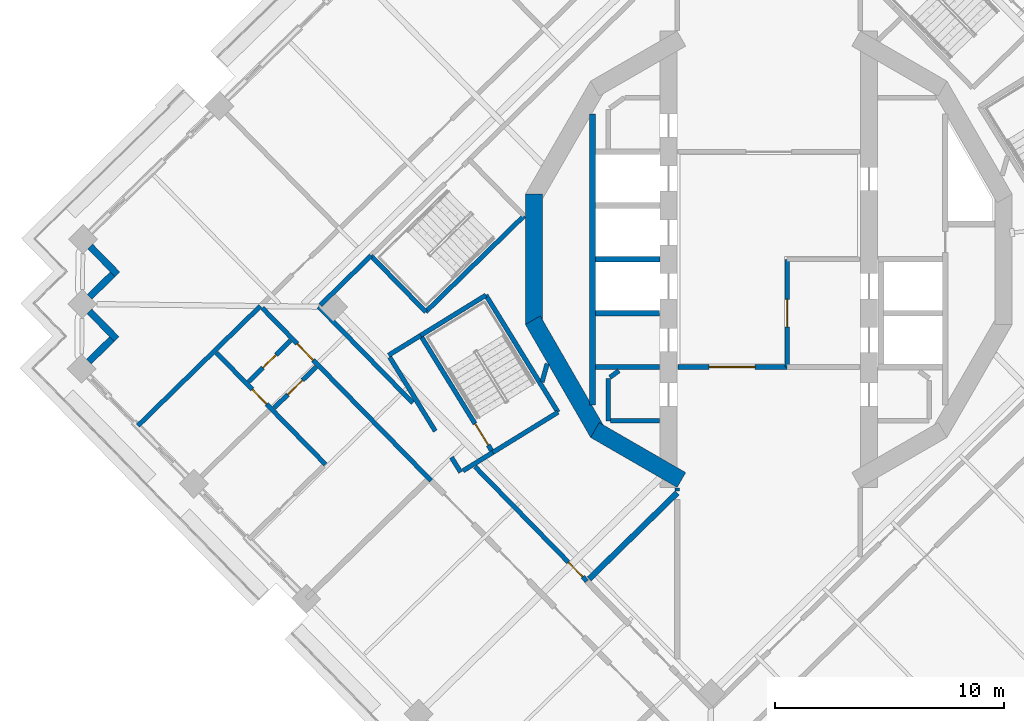
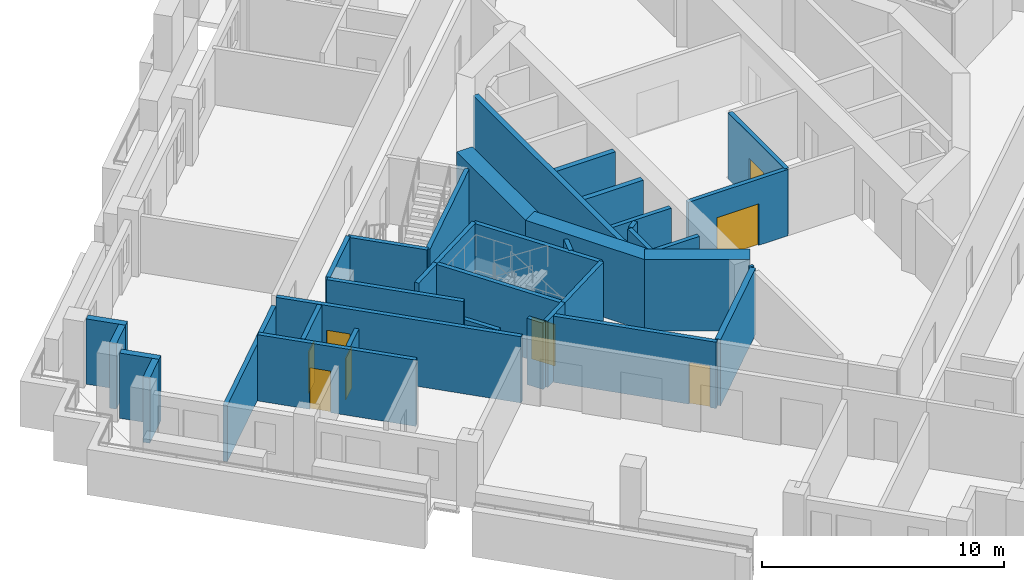
# One storey, part 5 of 17: 37 walls, 8 doors, 8 openings.
"""IFC4 building model written with IfcOpenShell, lengths in metres."""

from ifc_helpers import new_model, si_unit, direction, frame, frame_2d, origin, place, context, subcontext, project, spatial, rectangle, extrude, material, layer, layer_set, type_object, element, fill, save


model = new_model("IFC4")

# Units and contexts
model_context = context("Model", 3, precision=1e-05, world=origin(), true_north=direction((0.0, 1.0)))
body_context = subcontext(model_context, "Body", "Model", "MODEL_VIEW")
ifc_project = project(units=[si_unit("LENGTHUNIT", "METRE"), si_unit("AREAUNIT", "SQUARE_METRE"), si_unit("VOLUMEUNIT", "CUBIC_METRE"), si_unit("PLANEANGLEUNIT", "RADIAN"), si_unit("MASSUNIT", "GRAM", prefix="KILO")], contexts=[model_context])

# Site, building, storey
site_placement = place(None, origin())
site = spatial("IfcSite", under=ifc_project, at=site_placement, CompositionType="ELEMENT")
building_placement = place(site_placement, origin())
building = spatial("IfcBuilding", under=site, at=building_placement, Name="Cantera Rosa Tower", CompositionType="ELEMENT")
storey_placement = place(building_placement, frame((0.0, 0.0, 237.800048828125)))
storey = spatial("IfcBuildingStorey", under=building, at=storey_placement, Name="L52", CompositionType="ELEMENT", Elevation=237.800048828125)

# Wall
ifc_material_1 = material(Name="Gypsum board partition")
ifc_layer_1 = layer(ifc_material_1, 0.199951171875)
ifc_layer_set_1 = layer_set([ifc_layer_1], Name="CORRIDOR WALL 200 H2300")
wall_type_1 = type_object("IfcWallType", Name="CORRIDOR WALL 200 H2300", PredefinedType="PARTITIONING", material=ifc_layer_set_1)
wall_1_placement = place(storey_placement, frame((-16.548095703125, -4.274658203125, 0.0), z_axis=(0.0, 0.0, 1.0), x_axis=(0.524970357961, -0.851120510423, 0.0)))
element("IfcWall", 1, at=wall_1_placement, inside=storey, type_object=wall_type_1, Name="CORRIDOR WALL L52-013", PredefinedType="PARTITIONING", context=body_context, shape_type="SweptSolid", body=[
    extrude(rectangle(XDim=3.790771484375, YDim=0.199951171875, at=frame_2d((1.8955078125, 0.0))), origin(), (0.0, 0.0, 1.0), 2.300048828125),
])

# Wall, opening, door
ifc_material_2 = material(Name="Gypsum board partition")
ifc_layer_2 = layer(ifc_material_2, 0.199951171875)
ifc_layer_set_2 = layer_set([ifc_layer_2], Name="CORRIDOR WALL 200 H3350")
wall_type_2 = type_object("IfcWallType", Name="CORRIDOR WALL 200 H3350", PredefinedType="PARTITIONING", material=ifc_layer_set_2)
wall_2_placement = place(storey_placement, frame((-22.109130859375, -2.125732421875, 0.0), z_axis=(0.0, 0.0, 1.0), x_axis=(0.698828244321, -0.715289511274, 0.0)))
wall_2 = element("IfcWall", 2, at=wall_2_placement, inside=storey, type_object=wall_type_2, Name="CORRIDOR WALL L52-003", PredefinedType="PARTITIONING", context=body_context, shape_type="SweptSolid", body=[
    extrude(rectangle(XDim=10.544921875, YDim=0.199951171875, at=frame_2d((5.2724609375, 0.0))), origin(), (0.0, 0.0, 1.0), 3.349853515625),
])
opening_1_placement = place(wall_2_placement, frame((2.179931640625, 0.0, 0.0)))
opening_1 = element("IfcOpeningElement", 3, at=opening_1_placement, cuts=wall_2, Name="Opening L52-041", PredefinedType="OPENING", context=body_context, shape_type="SweptSolid", body=[
    extrude(rectangle(XDim=1.0, YDim=2.10009765625, at=frame_2d((0.5, 1.050048828125))), frame((0.0, 0.10986328125, 0.0), z_axis=(0.0, -1.0, 0.0), x_axis=(1.0, 0.0, 0.0)), (0.0, 0.0, 1.0), 0.219970703125),
])
ifc_material_3 = material(Name="Timber door leaf", Category="wood")
door_type_1 = type_object("IfcDoorType", Name="ENTRANCE DOOR 1000x2100", OperationType="NOTDEFINED", PredefinedType="DOOR", material=ifc_material_3)
door_1_placement = place(opening_1_placement, origin())
door_1 = element("IfcDoor", 4, at=door_1_placement, inside=storey, type_object=door_type_1, Name="DOOR L52-041", OperationType="NOTDEFINED", OverallHeight=2.10009765625, OverallWidth=1.0, PredefinedType="DOOR", context=body_context, shape_type="SweptSolid", body=[
    extrude(rectangle(XDim=1.0, YDim=2.10009765625, at=frame_2d((0.5, 1.050048828125))), frame((0.0, 0.02490234375, 0.0), z_axis=(0.0, -1.0, 0.0), x_axis=(1.0, 0.0, 0.0)), (0.0, 0.0, 1.0), 0.050048828125),
])
fill(opening_1, door_1)

# Walls
wall_3_placement = place(storey_placement, frame((-19.647705078125, -2.069580078125, 0.0), z_axis=(0.0, 0.0, 1.0), x_axis=(0.698845926006, -0.715272236079, 0.0)))
element("IfcWall", 5, at=wall_3_placement, inside=storey, type_object=wall_type_2, Name="CORRIDOR WALL L52-008", PredefinedType="PARTITIONING", context=body_context, shape_type="SweptSolid", body=[
    extrude(rectangle(XDim=5.870849609375, YDim=0.199951171875, at=frame_2d((2.935546875, 0.0))), origin(), (0.0, 0.0, 1.0), 3.349853515625),
])
wall_4_placement = place(storey_placement, frame((-17.36962890625, 0.156005859375, 0.0), z_axis=(0.0, 0.0, 1.0), x_axis=(-0.715289693103, -0.69882805821, 0.0)))
element("IfcWall", 6, at=wall_4_placement, inside=storey, type_object=wall_type_2, Name="CORRIDOR WALL L52-011", PredefinedType="PARTITIONING", context=body_context, shape_type="SweptSolid", body=[
    extrude(rectangle(XDim=3.084716796875, YDim=0.199951171875, at=frame_2d((1.54248046875, 0.0))), origin(), (0.0, 0.0, 1.0), 3.349853515625),
])
wall_5_placement = place(storey_placement, frame((-16.6005859375, -4.189697265625, 0.0), z_axis=(0.0, 0.0, 1.0), x_axis=(0.8510360128, 0.525107327047, 0.0)))
element("IfcWall", 7, at=wall_5_placement, inside=storey, type_object=wall_type_2, Name="CORRIDOR WALL L52-012", PredefinedType="PARTITIONING", context=body_context, shape_type="SweptSolid", body=[
    extrude(rectangle(XDim=1.64501953125, YDim=0.199951171875, at=frame_2d((0.822509765625, 0.0))), origin(), (0.0, 0.0, 1.0), 3.349853515625),
])
wall_6_placement = place(storey_placement, frame((-13.8525390625, -8.64501953125, 0.0), z_axis=(0.0, 0.0, 1.0), x_axis=(0.52482706305, -0.851208877944, 0.0)))
element("IfcWall", 8, at=wall_6_placement, inside=storey, type_object=wall_type_2, Name="CORRIDOR WALL L52-014", PredefinedType="PARTITIONING", context=body_context, shape_type="SweptSolid", body=[
    extrude(rectangle(XDim=0.76513671875, YDim=0.199951171875, at=frame_2d((0.382568359375, 0.0))), origin(), (0.0, 0.0, 1.0), 3.349853515625),
])
wall_7_placement = place(storey_placement, frame((-13.3486328125, -9.2333984375, 0.0), z_axis=(0.0, 0.0, 1.0), x_axis=(0.851042101438, 0.525097459126, 0.0)))
element("IfcWall", 9, at=wall_7_placement, inside=storey, type_object=wall_type_2, Name="CORRIDOR WALL L52-018", PredefinedType="PARTITIONING", context=body_context, shape_type="SweptSolid", body=[
    extrude(rectangle(XDim=1.52490234375, YDim=0.199951171875, at=frame_2d((0.762451171875, 0.0))), origin(), (0.0, 0.0, 1.0), 3.349853515625),
])

# Wall, opening, door
wall_8_placement = place(storey_placement, frame((-12.828125, -9.0498046875, 0.0), z_axis=(0.0, 0.0, 1.0), x_axis=(0.698835518471, -0.715282404455, 0.0)))
wall_8 = element("IfcWall", 10, at=wall_8_placement, inside=storey, type_object=wall_type_2, Name="CORRIDOR WALL L52-020", PredefinedType="PARTITIONING", context=body_context, shape_type="SweptSolid", body=[
    extrude(rectangle(XDim=6.99169921875, YDim=0.199951171875, at=frame_2d((3.495849609375, 0.0))), origin(), (0.0, 0.0, 1.0), 3.349853515625),
])
opening_2_placement = place(wall_8_placement, frame((5.830322265625, 0.0, 0.0)))
opening_2 = element("IfcOpeningElement", 11, at=opening_2_placement, cuts=wall_8, Name="Opening L52-009", PredefinedType="OPENING", context=body_context, shape_type="SweptSolid", body=[
    extrude(rectangle(XDim=0.89990234375, YDim=2.10009765625, at=frame_2d((0.449951171875, 1.050048828125))), frame((0.0, 0.10986328125, 0.0), z_axis=(0.0, -1.0, 0.0), x_axis=(1.0, 0.0, 0.0)), (0.0, 0.0, 1.0), 0.219970703125),
])
ifc_material_4 = material(Name="Timber door leaf", Category="wood")
door_type_2 = type_object("IfcDoorType", Name="SERVICE DOOR 900x2100", OperationType="NOTDEFINED", PredefinedType="DOOR", material=ifc_material_4)
door_2_placement = place(opening_2_placement, origin())
door_2 = element("IfcDoor", 12, at=door_2_placement, inside=storey, type_object=door_type_2, Name="DOOR L52-009", OperationType="NOTDEFINED", OverallHeight=2.10009765625, OverallWidth=0.89990234375, PredefinedType="DOOR", context=body_context, shape_type="SweptSolid", body=[
    extrude(rectangle(XDim=0.89990234375, YDim=2.10009765625, at=frame_2d((0.449951171875, 1.050048828125))), frame((0.0, 0.02490234375, 0.0), z_axis=(0.0, -1.0, 0.0), x_axis=(1.0, 0.0, 0.0)), (0.0, 0.0, 1.0), 0.050048828125),
])
fill(opening_2, door_2)

# Wall
wall_9_placement = place(storey_placement, frame((-4.0, -9.994140625, 0.0), z_axis=(0.0, 0.0, 1.0), x_axis=(0.0, -1.0, 0.0)))
element("IfcWall", 13, at=wall_9_placement, inside=storey, type_object=wall_type_2, Name="CORRIDOR WALL L52-052", PredefinedType="PARTITIONING", context=body_context, shape_type="SweptSolid", body=[
    extrude(rectangle(XDim=0.125, YDim=0.199951171875, at=frame_2d((0.0625, 0.0))), origin(), (0.0, 0.0, 1.0), 3.349853515625),
])

# Wall, opening, door
wall_10_placement = place(storey_placement, frame((0.800048828125, -4.699951171875, 0.0), z_axis=(0.0, 0.0, 1.0), x_axis=(-1.0, 0.0, 0.0)))
wall_10 = element("IfcWall", 14, at=wall_10_placement, inside=storey, type_object=wall_type_2, Name="CORRIDOR WALL L52-060", PredefinedType="PARTITIONING", context=body_context, shape_type="SweptSolid", body=[
    extrude(rectangle(XDim=4.77001953125, YDim=0.199951171875, at=frame_2d((2.385009765625, 0.0))), origin(), (0.0, 0.0, 1.0), 3.349853515625),
])
opening_3_placement = place(wall_10_placement, frame((1.39990234375, 0.0, 0.0)))
opening_3 = element("IfcOpeningElement", 15, at=opening_3_placement, cuts=wall_10, Name="Opening L52-015", PredefinedType="OPENING", context=body_context, shape_type="SweptSolid", body=[
    extrude(rectangle(XDim=2.0, YDim=2.10009765625, at=frame_2d((1.0, 1.050048828125))), frame((0.0, 0.10986328125, 0.0), z_axis=(0.0, -1.0, 0.0), x_axis=(1.0, 0.0, 0.0)), (0.0, 0.0, 1.0), 0.219970703125),
])
ifc_material_5 = material(Name="Steel S355J2 (EN 10025-2)", Category="steel")
door_type_3 = type_object("IfcDoorType", Name="LOBBY SCREEN DOOR 2000x2100", OperationType="NOTDEFINED", PredefinedType="DOOR", material=ifc_material_5)
door_3_placement = place(opening_3_placement, origin())
door_3 = element("IfcDoor", 16, at=door_3_placement, inside=storey, type_object=door_type_3, Name="DOOR L52-015", OperationType="NOTDEFINED", OverallHeight=2.10009765625, OverallWidth=2.0, PredefinedType="DOOR", context=body_context, shape_type="SweptSolid", body=[
    extrude(rectangle(XDim=2.0, YDim=2.10009765625, at=frame_2d((1.0, 1.050048828125))), frame((0.0, 0.02490234375, 0.0), z_axis=(0.0, -1.0, 0.0), x_axis=(1.0, 0.0, 0.0)), (0.0, 0.0, 1.0), 0.050048828125),
])
fill(opening_3, door_3)

# Walls
ifc_material_6 = material(Name="Hollow clay masonry with cantera stone cladding", Category="masonry")
ifc_layer_3 = layer(ifc_material_6, 0.300048828125)
ifc_layer_set_3 = layer_set([ifc_layer_3], Name="EW-LOGGIA 300")
wall_type_3 = type_object("IfcWallType", Name="EW-LOGGIA 300", PredefinedType="SOLIDWALL", material=ifc_layer_set_3)
wall_11_placement = place(storey_placement, frame((-29.623291015625, 0.556884765625, 0.0), z_axis=(0.0, 0.0, 1.0), x_axis=(0.69880105094, -0.715316077832, 0.0)))
element("IfcWall", 17, at=wall_11_placement, inside=storey, type_object=wall_type_3, Name="EN-L52-W12a", PredefinedType="SOLIDWALL", context=body_context, shape_type="SweptSolid", body=[
    extrude(rectangle(XDim=1.699951171875, YDim=0.300048828125, at=frame_2d((0.85009765625, 0.0))), origin(), (0.0, 0.0, 1.0), 3.300048828125),
])
wall_12_placement = place(storey_placement, frame((-28.6474609375, -0.65673828125, 0.0), z_axis=(0.0, 0.0, 1.0), x_axis=(-0.715341715727, -0.698774806172, 0.0)))
element("IfcWall", 18, at=wall_12_placement, inside=storey, type_object=wall_type_3, Name="EN-L52-W12b", PredefinedType="SOLIDWALL", context=body_context, shape_type="SweptSolid", body=[
    extrude(rectangle(XDim=1.39990234375, YDim=0.300048828125, at=frame_2d((0.699951171875, 0.0))), origin(), (0.0, 0.0, 1.0), 3.300048828125),
])
wall_13_placement = place(storey_placement, frame((-29.65625, -2.271484375, 0.0), z_axis=(0.0, 0.0, 1.0), x_axis=(0.698872839675, -0.715245939495, 0.0)))
element("IfcWall", 19, at=wall_13_placement, inside=storey, type_object=wall_type_3, Name="EN-L52-W13a", PredefinedType="SOLIDWALL", context=body_context, shape_type="SweptSolid", body=[
    extrude(rectangle(XDim=1.699951171875, YDim=0.300048828125, at=frame_2d((0.85009765625, 0.0))), origin(), (0.0, 0.0, 1.0), 3.300048828125),
])
wall_14_placement = place(storey_placement, frame((-28.680419921875, -3.48486328125, 0.0), z_axis=(0.0, 0.0, 1.0), x_axis=(-0.71516937164, -0.698951192766, 0.0)))
element("IfcWall", 20, at=wall_14_placement, inside=storey, type_object=wall_type_3, Name="EN-L52-W13b", PredefinedType="SOLIDWALL", context=body_context, shape_type="SweptSolid", body=[
    extrude(rectangle(XDim=1.39990234375, YDim=0.300048828125, at=frame_2d((0.699951171875, 0.0))), origin(), (0.0, 0.0, 1.0), 3.300048828125),
])

# Wall, opening, door
ifc_material_7 = material(Name="Gypsum board partition")
ifc_layer_4 = layer(ifc_material_7, 0.199951171875)
ifc_layer_set_4 = layer_set([ifc_layer_4], Name="PARTITION 200 H2450")
wall_type_4 = type_object("IfcWallType", Name="PARTITION 200 H2450", PredefinedType="PARTITIONING", material=ifc_layer_set_4)
wall_15_placement = place(storey_placement, frame((-19.76318359375, -4.698974609375, 0.0), z_axis=(0.0, 0.0, 1.0), x_axis=(-0.715308545243, -0.698808761466, 0.0)))
wall_15 = element("IfcWall", 21, at=wall_15_placement, inside=storey, type_object=wall_type_4, Name="PARTITION L52-007", PredefinedType="PARTITIONING", context=body_context, shape_type="SweptSolid", body=[
    extrude(rectangle(XDim=2.559814453125, YDim=0.199951171875, at=frame_2d((1.27978515625, 0.0))), origin(), (0.0, 0.0, 1.0), 2.449951171875),
])
opening_4_placement = place(wall_15_placement, frame((0.830078125, 0.0, 0.0)))
opening_4 = element("IfcOpeningElement", 22, at=opening_4_placement, cuts=wall_15, Name="Opening L52-043", PredefinedType="OPENING", context=body_context, shape_type="SweptSolid", body=[
    extrude(rectangle(XDim=0.89990234375, YDim=2.10009765625, at=frame_2d((0.449951171875, 1.050048828125))), frame((0.0, 0.10986328125, 0.0), z_axis=(0.0, -1.0, 0.0), x_axis=(1.0, 0.0, 0.0)), (0.0, 0.0, 1.0), 0.219970703125),
])
ifc_material_8 = material(Name="Timber door leaf", Category="wood")
door_type_4 = type_object("IfcDoorType", Name="ROOM DOOR 900x2100", OperationType="NOTDEFINED", PredefinedType="DOOR", material=ifc_material_8)
door_4_placement = place(opening_4_placement, origin())
door_4 = element("IfcDoor", 23, at=door_4_placement, inside=storey, type_object=door_type_4, Name="DOOR L52-043", OperationType="NOTDEFINED", OverallHeight=2.10009765625, OverallWidth=0.89990234375, PredefinedType="DOOR", context=body_context, shape_type="SweptSolid", body=[
    extrude(rectangle(XDim=0.89990234375, YDim=2.10009765625, at=frame_2d((0.449951171875, 1.050048828125))), frame((0.0, 0.02490234375, 0.0), z_axis=(0.0, -1.0, 0.0), x_axis=(1.0, 0.0, 0.0)), (0.0, 0.0, 1.0), 0.050048828125),
])
fill(opening_4, door_4)

ifc_material_9 = material(Name="Gypsum board partition")
ifc_layer_5 = layer(ifc_material_9, 0.199951171875)
ifc_layer_set_5 = layer_set([ifc_layer_5], Name="PARTITION 200 H3350")
wall_type_5 = type_object("IfcWallType", Name="PARTITION 200 H3350", PredefinedType="PARTITIONING", material=ifc_layer_set_5)
wall_16_placement = place(storey_placement, frame((-24.112060546875, -4.08251953125, 0.0), z_axis=(0.0, 0.0, 1.0), x_axis=(0.698837366631, -0.715280598787, 0.0)))
wall_16 = element("IfcWall", 24, at=wall_16_placement, inside=storey, type_object=wall_type_5, Name="PARTITION L52-001", PredefinedType="PARTITIONING", context=body_context, shape_type="SweptSolid", body=[
    extrude(rectangle(XDim=6.800048828125, YDim=0.199951171875, at=frame_2d((3.39990234375, 0.0))), origin(), (0.0, 0.0, 1.0), 3.349853515625),
])
opening_5_placement = place(wall_16_placement, frame((2.22998046875, 0.0, 0.0)))
opening_5 = element("IfcOpeningElement", 25, at=opening_5_placement, cuts=wall_16, Name="Opening L52-044", PredefinedType="OPENING", context=body_context, shape_type="SweptSolid", body=[
    extrude(rectangle(XDim=0.89990234375, YDim=2.10009765625, at=frame_2d((0.449951171875, 1.050048828125))), frame((0.0, 0.10986328125, 0.0), z_axis=(0.0, -1.0, 0.0), x_axis=(1.0, 0.0, 0.0)), (0.0, 0.0, 1.0), 0.219970703125),
])
door_5_placement = place(opening_5_placement, origin())
door_5 = element("IfcDoor", 26, at=door_5_placement, inside=storey, type_object=door_type_4, Name="DOOR L52-044", OperationType="NOTDEFINED", OverallHeight=2.10009765625, OverallWidth=0.89990234375, PredefinedType="DOOR", context=body_context, shape_type="SweptSolid", body=[
    extrude(rectangle(XDim=0.89990234375, YDim=2.10009765625, at=frame_2d((0.449951171875, 1.050048828125))), frame((0.0, 0.02490234375, 0.0), z_axis=(0.0, -1.0, 0.0), x_axis=(1.0, 0.0, 0.0)), (0.0, 0.0, 1.0), 0.050048828125),
])
fill(opening_5, door_5)

wall_17_placement = place(storey_placement, frame((-20.881103515625, -3.554443359375, 0.0), z_axis=(0.0, 0.0, 1.0), x_axis=(-0.715307445705, -0.698809886965, 0.0)))
wall_17 = element("IfcWall", 27, at=wall_17_placement, inside=storey, type_object=wall_type_5, Name="PARTITION L52-006", PredefinedType="PARTITIONING", context=body_context, shape_type="SweptSolid", body=[
    extrude(rectangle(XDim=2.56005859375, YDim=0.199951171875, at=frame_2d((1.280029296875, 0.0))), origin(), (0.0, 0.0, 1.0), 3.349853515625),
])
opening_6_placement = place(wall_17_placement, frame((0.8798828125, 0.0, 0.0)))
opening_6 = element("IfcOpeningElement", 28, at=opening_6_placement, cuts=wall_17, Name="Opening L52-042", PredefinedType="OPENING", context=body_context, shape_type="SweptSolid", body=[
    extrude(rectangle(XDim=0.800048828125, YDim=2.10009765625, at=frame_2d((0.39990234375, 1.050048828125))), frame((0.0, 0.10986328125, 0.0), z_axis=(0.0, -1.0, 0.0), x_axis=(1.0, 0.0, 0.0)), (0.0, 0.0, 1.0), 0.219970703125),
])
ifc_material_10 = material(Name="Timber door leaf", Category="wood")
door_type_5 = type_object("IfcDoorType", Name="BATHROOM DOOR 800x2100", OperationType="NOTDEFINED", PredefinedType="DOOR", material=ifc_material_10)
door_6_placement = place(opening_6_placement, origin())
door_6 = element("IfcDoor", 29, at=door_6_placement, inside=storey, type_object=door_type_5, Name="DOOR L52-042", OperationType="NOTDEFINED", OverallHeight=2.10009765625, OverallWidth=0.800048828125, PredefinedType="DOOR", context=body_context, shape_type="SweptSolid", body=[
    extrude(rectangle(XDim=0.800048828125, YDim=2.10009765625, at=frame_2d((0.39990234375, 1.050048828125))), frame((0.0, 0.02490234375, 0.0), z_axis=(0.0, -1.0, 0.0), x_axis=(1.0, 0.0, 0.0)), (0.0, 0.0, 1.0), 0.050048828125),
])
fill(opening_6, door_6)

# Walls
wall_18_placement = place(storey_placement, frame((-9.898681640625, -5.354248046875, 0.0), z_axis=(0.0, 0.0, 1.0), x_axis=(0.272775267496, 0.96207777931, 0.0)))
element("IfcWall", 30, at=wall_18_placement, inside=storey, type_object=wall_type_5, Name="PARTITION L52-030", PredefinedType="PARTITIONING", context=body_context, shape_type="SweptSolid", body=[
    extrude(rectangle(XDim=0.828857421875, YDim=0.199951171875, at=frame_2d((0.41455078125, 0.0))), origin(), (0.0, 0.0, 1.0), 3.349853515625),
])
wall_19_placement = place(storey_placement, frame((-7.0, -7.050048828125, 0.0), z_axis=(0.0, 0.0, 1.0), x_axis=(0.0, 1.0, 0.0)))
element("IfcWall", 31, at=wall_19_placement, inside=storey, type_object=wall_type_5, Name="PARTITION L52-041", PredefinedType="PARTITIONING", context=body_context, shape_type="SweptSolid", body=[
    extrude(rectangle(XDim=1.85009765625, YDim=0.199951171875, at=frame_2d((0.925048828125, 0.0))), origin(), (0.0, 0.0, 1.0), 3.349853515625),
])
wall_20_placement = place(storey_placement, frame((-6.935302734375, -5.15283203125, 0.0), z_axis=(0.0, 0.0, 1.0), x_axis=(0.808368872862, 0.588676282338, 0.0)))
element("IfcWall", 32, at=wall_20_placement, inside=storey, type_object=wall_type_5, Name="PARTITION L52-042", PredefinedType="PARTITIONING", context=body_context, shape_type="SweptSolid", body=[
    extrude(rectangle(XDim=0.489013671875, YDim=0.199951171875, at=frame_2d((0.24462890625, 0.0))), origin(), (0.0, 0.0, 1.0), 3.349853515625),
])
wall_21_placement = place(storey_placement, frame((-4.780029296875, -7.050048828125, 0.0), z_axis=(0.0, 0.0, 1.0), x_axis=(-1.0, 0.0, 0.0)))
element("IfcWall", 33, at=wall_21_placement, inside=storey, type_object=wall_type_5, Name="PARTITION L52-047", PredefinedType="PARTITIONING", context=body_context, shape_type="SweptSolid", body=[
    extrude(rectangle(XDim=2.139892578125, YDim=0.199951171875, at=frame_2d((1.06982421875, 0.0))), origin(), (0.0, 0.0, 1.0), 3.349853515625),
])
wall_22_placement = place(storey_placement, frame((-4.780029296875, -4.699951171875, 0.0), z_axis=(0.0, 0.0, 1.0), x_axis=(-1.0, 0.0, 0.0)))
element("IfcWall", 34, at=wall_22_placement, inside=storey, type_object=wall_type_5, Name="PARTITION L52-048", PredefinedType="PARTITIONING", context=body_context, shape_type="SweptSolid", body=[
    extrude(rectangle(XDim=2.794921875, YDim=0.199951171875, at=frame_2d((1.3974609375, 0.0))), origin(), (0.0, 0.0, 1.0), 3.349853515625),
])
ifc_material_11 = material(Name="Gypsum board partition")
ifc_layer_6 = layer(ifc_material_11, 0.199951171875)
ifc_layer_set_6 = layer_set([ifc_layer_6], Name="PARTY WALL 200 H2850")
wall_type_6 = type_object("IfcWallType", Name="PARTY WALL 200 H2850", PredefinedType="PARTITIONING", material=ifc_layer_set_6)
wall_23_placement = place(storey_placement, frame((-22.193115234375, -2.0400390625, 0.0), z_axis=(0.0, 0.0, 1.0), x_axis=(-0.715278908715, -0.698839096465, 0.0)))
element("IfcWall", 35, at=wall_23_placement, inside=storey, type_object=wall_type_6, Name="PARTY WALL L52-002", PredefinedType="PARTITIONING", context=body_context, shape_type="SweptSolid", body=[
    extrude(rectangle(XDim=7.4697265625, YDim=0.199951171875, at=frame_2d((3.73486328125, 0.0))), origin(), (0.0, 0.0, 1.0), 2.849853515625),
])
ifc_material_12 = material(Name="Concrete C60/75", Category="concrete")
ifc_layer_7 = layer(ifc_material_12, 0.75)
ifc_layer_set_7 = layer_set([ifc_layer_7], Name="RC CORE WALL 750 C60/75")
wall_type_7 = type_object("IfcWallType", Name="RC CORE WALL 750 C60/75", PredefinedType="SHEAR", material=ifc_layer_set_7)
wall_24_placement = place(storey_placement, frame((-3.8125, -9.634765625, 0.0), z_axis=(0.0, 0.0, 1.0), x_axis=(-0.866013176292, 0.50002117804, 0.0)))
element("IfcWall", 36, at=wall_24_placement, inside=storey, type_object=wall_type_7, Name="CW-W1 L52", PredefinedType="SHEAR", context=body_context, shape_type="SweptSolid", body=[
    extrude(rectangle(XDim=4.362548828125, YDim=0.75, at=frame_2d((2.18115234375, 0.0))), origin(), (0.0, 0.0, 1.0), 3.599853515625),
])
wall_25_placement = place(storey_placement, frame((-7.453369140625, -7.590576171875, 0.0), z_axis=(0.0, 0.0, 1.0), x_axis=(-0.500021842983, 0.866012792365, 0.0)))
element("IfcWall", 37, at=wall_25_placement, inside=storey, type_object=wall_type_7, Name="CW-W2 L52", PredefinedType="SHEAR", context=body_context, shape_type="SweptSolid", body=[
    extrude(rectangle(XDim=5.694091796875, YDim=0.75, at=frame_2d((2.84716796875, 0.0))), origin(), (0.0, 0.0, 1.0), 3.599853515625),
])
wall_26_placement = place(storey_placement, frame((-10.250244140625, -2.846923828125, 0.0), z_axis=(0.0, 0.0, 1.0), x_axis=(0.0, 1.0, 0.0)))
element("IfcWall", 38, at=wall_26_placement, inside=storey, type_object=wall_type_7, Name="CW-W3 L52", PredefinedType="SHEAR", context=body_context, shape_type="SweptSolid", body=[
    extrude(rectangle(XDim=5.69384765625, YDim=0.75, at=frame_2d((2.846923828125, 0.0))), origin(), (0.0, 0.0, 1.0), 3.599853515625),
])
ifc_material_13 = material(Name="Masonry blockwork", Category="masonry")
ifc_layer_8 = layer(ifc_material_13, 0.25)
ifc_layer_set_8 = layer_set([ifc_layer_8], Name="SHAFT WALL 250 H3350")
wall_type_8 = type_object("IfcWallType", Name="SHAFT WALL 250 H3350", PredefinedType="SOLIDWALL", material=ifc_layer_set_8)
wall_27_placement = place(storey_placement, frame((-7.574951171875, -2.35009765625, 0.0), z_axis=(0.0, 0.0, 1.0), x_axis=(1.0, 0.0, 0.0)))
element("IfcWall", 39, at=wall_27_placement, inside=storey, type_object=wall_type_8, Name="SHAFT WALL L52-036", PredefinedType="SOLIDWALL", context=body_context, shape_type="SweptSolid", body=[
    extrude(rectangle(XDim=2.794921875, YDim=0.25, at=frame_2d((1.3974609375, 0.0))), origin(), (0.0, 0.0, 1.0), 3.349853515625),
])
wall_28_placement = place(storey_placement, frame((-7.574951171875, 0.0, 0.0), z_axis=(0.0, 0.0, 1.0), x_axis=(1.0, 0.0, 0.0)))
element("IfcWall", 40, at=wall_28_placement, inside=storey, type_object=wall_type_8, Name="SHAFT WALL L52-037", PredefinedType="SOLIDWALL", context=body_context, shape_type="SweptSolid", body=[
    extrude(rectangle(XDim=2.824951171875, YDim=0.25, at=frame_2d((1.41259765625, 0.0))), origin(), (0.0, 0.0, 1.0), 3.349853515625),
])
wall_29_placement = place(storey_placement, frame((-7.699951171875, 6.353515625, 0.0), z_axis=(0.0, 0.0, 1.0), x_axis=(0.0, -1.0, 0.0)))
element("IfcWall", 41, at=wall_29_placement, inside=storey, type_object=wall_type_8, Name="SHAFT WALL L52-040", PredefinedType="SOLIDWALL", context=body_context, shape_type="SweptSolid", body=[
    extrude(rectangle(XDim=12.70703125, YDim=0.25, at=frame_2d((6.353515625, 0.0))), origin(), (0.0, 0.0, 1.0), 3.349853515625),
])
wall_30_placement = place(storey_placement, frame((-4.0, -10.19921875, 0.0), z_axis=(0.0, 0.0, 1.0), x_axis=(-0.715285821778, -0.698832020705, 0.0)))
element("IfcWall", 42, at=wall_30_placement, inside=storey, type_object=wall_type_8, Name="SHAFT WALL L52-050", PredefinedType="SOLIDWALL", context=body_context, shape_type="SweptSolid", body=[
    extrude(rectangle(XDim=5.371337890625, YDim=0.25, at=frame_2d((2.685546875, 0.0))), origin(), (0.0, 0.0, 1.0), 3.349853515625),
])
ifc_material_14 = material(Name="Concrete C50/60", Category="concrete")
ifc_layer_9 = layer(ifc_material_14, 0.199951171875)
ifc_layer_set_9 = layer_set([ifc_layer_9], Name="STAIR WALL 200 H3350")
wall_type_9 = type_object("IfcWallType", Name="STAIR WALL 200 H3350", PredefinedType="SOLIDWALL", material=ifc_layer_set_9)
wall_31_placement = place(storey_placement, frame((-15.20068359375, -3.325927734375, 0.0), z_axis=(0.0, 0.0, 1.0), x_axis=(0.85113993661, 0.524938861495, 0.0)))
element("IfcWall", 43, at=wall_31_placement, inside=storey, type_object=wall_type_9, Name="STAIR WALL L52-015", PredefinedType="SOLIDWALL", context=body_context, shape_type="SweptSolid", body=[
    extrude(rectangle(XDim=3.35009765625, YDim=0.199951171875, at=frame_2d((1.675048828125, 0.0))), origin(), (0.0, 0.0, 1.0), 3.349853515625),
])
wall_32_placement = place(storey_placement, frame((-14.975341796875, -2.294677734375, 0.0), z_axis=(0.0, 0.0, 1.0), x_axis=(-0.698828566482, 0.715289196527, 0.0)))
element("IfcWall", 44, at=wall_32_placement, inside=storey, type_object=wall_type_9, Name="STAIR WALL L52-016", PredefinedType="SOLIDWALL", context=body_context, shape_type="SweptSolid", body=[
    extrude(rectangle(XDim=3.426025390625, YDim=0.199951171875, at=frame_2d((1.712890625, 0.0))), origin(), (0.0, 0.0, 1.0), 3.349853515625),
])
wall_33_placement = place(storey_placement, frame((-12.349365234375, -1.5673828125, 0.0), z_axis=(0.0, 0.0, 1.0), x_axis=(0.524982543144, -0.851112994493, 0.0)))
element("IfcWall", 45, at=wall_33_placement, inside=storey, type_object=wall_type_9, Name="STAIR WALL L52-021", PredefinedType="SOLIDWALL", context=body_context, shape_type="SweptSolid", body=[
    extrude(rectangle(XDim=6.0, YDim=0.199951171875, at=frame_2d((3.0, 0.0))), origin(), (0.0, 0.0, 1.0), 3.349853515625),
])

# Wall, opening, door
wall_34_placement = place(storey_placement, frame((-12.05078125, -8.4326171875, 0.0), z_axis=(0.0, 0.0, 1.0), x_axis=(-0.524982543144, 0.851112994493, 0.0)))
wall_34 = element("IfcWall", 46, at=wall_34_placement, inside=storey, type_object=wall_type_9, Name="STAIR WALL L52-023", PredefinedType="SOLIDWALL", context=body_context, shape_type="SweptSolid", body=[
    extrude(rectangle(XDim=6.0, YDim=0.199951171875, at=frame_2d((3.0, 0.0))), origin(), (0.0, 0.0, 1.0), 3.349853515625),
])
opening_7_placement = place(wall_34_placement, frame((0.375, 0.0, 0.0)))
opening_7 = element("IfcOpeningElement", 47, at=opening_7_placement, cuts=wall_34, Name="Opening L52-005", PredefinedType="OPENING", context=body_context, shape_type="SweptSolid", body=[
    extrude(rectangle(XDim=1.10009765625, YDim=2.10009765625, at=frame_2d((0.550048828125, 1.050048828125))), frame((0.0, 0.10986328125, 0.0), z_axis=(0.0, -1.0, 0.0), x_axis=(1.0, 0.0, 0.0)), (0.0, 0.0, 1.0), 0.219970703125),
])
ifc_material_15 = material(Name="Steel S355J2 (EN 10025-2)", Category="steel")
door_type_6 = type_object("IfcDoorType", Name="STAIR DOOR 1100x2100", OperationType="NOTDEFINED", PredefinedType="DOOR", material=ifc_material_15)
door_7_placement = place(opening_7_placement, origin())
door_7 = element("IfcDoor", 48, at=door_7_placement, inside=storey, type_object=door_type_6, Name="DOOR L52-005", OperationType="NOTDEFINED", OverallHeight=2.10009765625, OverallWidth=1.10009765625, PredefinedType="DOOR", context=body_context, shape_type="SweptSolid", body=[
    extrude(rectangle(XDim=1.10009765625, YDim=2.10009765625, at=frame_2d((0.550048828125, 1.050048828125))), frame((0.0, 0.02490234375, 0.0), z_axis=(0.0, -1.0, 0.0), x_axis=(1.0, 0.0, 0.0)), (0.0, 0.0, 1.0), 0.050048828125),
])
fill(opening_7, door_7)

# Walls
wall_35_placement = place(storey_placement, frame((-12.05078125, -8.4326171875, 0.0), z_axis=(0.0, 0.0, 1.0), x_axis=(0.85113993661, 0.524938861495, 0.0)))
element("IfcWall", 49, at=wall_35_placement, inside=storey, type_object=wall_type_9, Name="STAIR WALL L52-024", PredefinedType="SOLIDWALL", context=body_context, shape_type="SweptSolid", body=[
    extrude(rectangle(XDim=3.35009765625, YDim=0.199951171875, at=frame_2d((1.675048828125, 0.0))), origin(), (0.0, 0.0, 1.0), 3.349853515625),
])
wall_36_placement = place(storey_placement, frame((-10.68359375, 1.8984375, 0.0), z_axis=(0.0, 0.0, 1.0), x_axis=(-0.715278260946, -0.698839759471, 0.0)))
element("IfcWall", 50, at=wall_36_placement, inside=storey, type_object=wall_type_9, Name="STAIR WALL L52-026", PredefinedType="SOLIDWALL", context=body_context, shape_type="SweptSolid", body=[
    extrude(rectangle(XDim=6.0, YDim=0.199951171875, at=frame_2d((3.0, 0.0))), origin(), (0.0, 0.0, 1.0), 3.349853515625),
])

# Wall, opening, door
wall_37_placement = place(storey_placement, frame((0.800048828125, -4.699951171875, 0.0), z_axis=(0.0, 0.0, 1.0), x_axis=(0.0, 1.0, 0.0)))
wall_37 = element("IfcWall", 51, at=wall_37_placement, inside=storey, type_object=wall_type_9, Name="STAIR WALL L52-061", PredefinedType="SOLIDWALL", context=body_context, shape_type="SweptSolid", body=[
    extrude(rectangle(XDim=4.699951171875, YDim=0.199951171875, at=frame_2d((2.35009765625, 0.0))), origin(), (0.0, 0.0, 1.0), 3.349853515625),
])
opening_8_placement = place(wall_37_placement, frame((1.75, 0.0, 0.0)))
opening_8 = element("IfcOpeningElement", 52, at=opening_8_placement, cuts=wall_37, Name="Opening L52-016", PredefinedType="OPENING", context=body_context, shape_type="SweptSolid", body=[
    extrude(rectangle(XDim=1.199951171875, YDim=2.10009765625, at=frame_2d((0.60009765625, 1.050048828125))), frame((0.0, 0.10986328125, 0.0), z_axis=(0.0, -1.0, 0.0), x_axis=(1.0, 0.0, 0.0)), (0.0, 0.0, 1.0), 0.219970703125),
])
ifc_material_16 = material(Name="Steel S355J2 (EN 10025-2)", Category="steel")
door_type_7 = type_object("IfcDoorType", Name="FIRE DOOR 1200x2100", OperationType="NOTDEFINED", PredefinedType="DOOR", material=ifc_material_16)
door_8_placement = place(opening_8_placement, origin())
door_8 = element("IfcDoor", 53, at=door_8_placement, inside=storey, type_object=door_type_7, Name="DOOR L52-016", OperationType="NOTDEFINED", OverallHeight=2.10009765625, OverallWidth=1.199951171875, PredefinedType="DOOR", context=body_context, shape_type="SweptSolid", body=[
    extrude(rectangle(XDim=1.199951171875, YDim=2.10009765625, at=frame_2d((0.60009765625, 1.050048828125))), frame((0.0, 0.02490234375, 0.0), z_axis=(0.0, -1.0, 0.0), x_axis=(1.0, 0.0, 0.0)), (0.0, 0.0, 1.0), 0.050048828125),
])
fill(opening_8, door_8)

save(model, "model.ifc")
